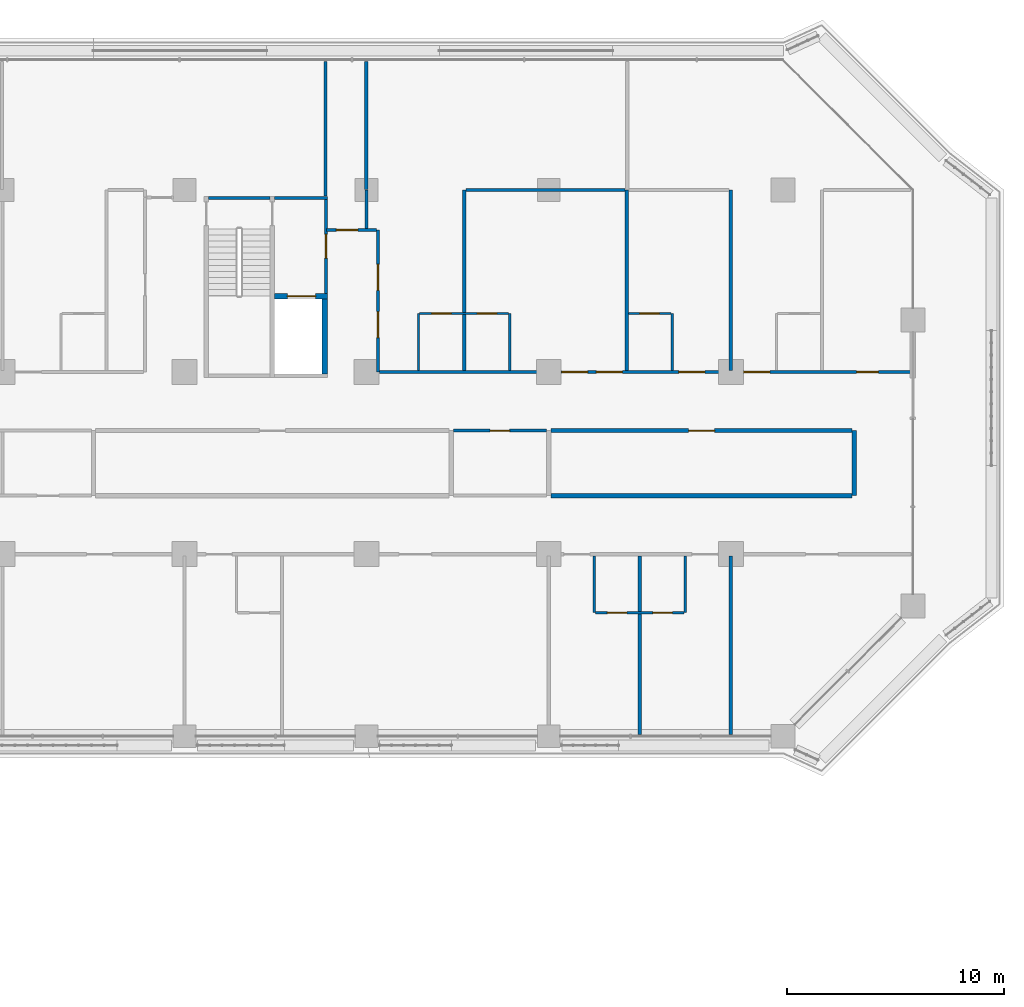
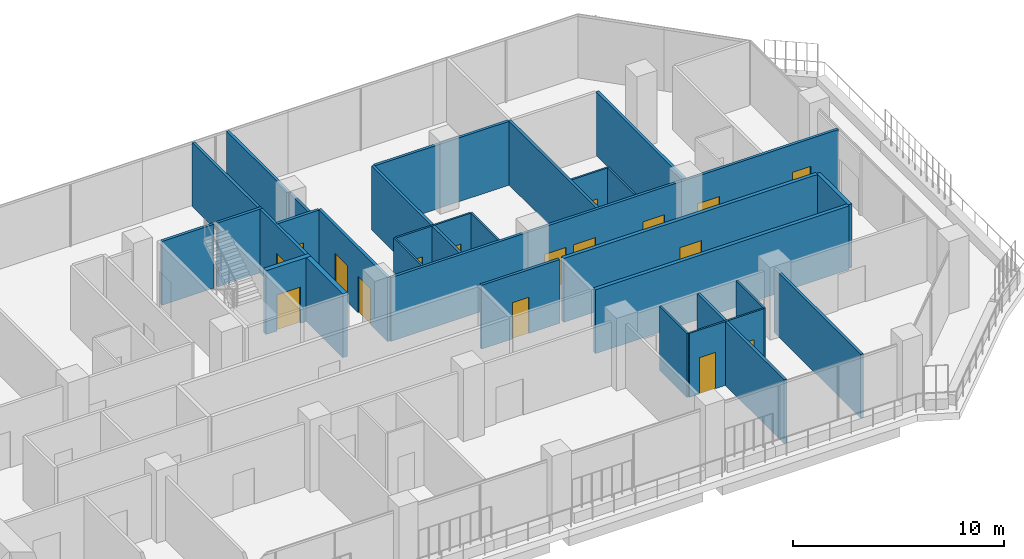
# One storey, part 15 of 23: 29 walls, 17 doors, 17 openings.
"""IFC4 building model written with IfcOpenShell, lengths in metres."""

from ifc_helpers import new_model, si_unit, direction, frame, frame_2d, origin, place, context, subcontext, project, spatial, rectangle, extrude, material, layer, layer_set, type_object, element, fill, save


model = new_model("IFC4")

# Units and contexts
model_context = context("Model", 3, precision=1e-05, world=origin(), true_north=direction((0.0, 1.0)))
body_context = subcontext(model_context, "Body", "Model", "MODEL_VIEW")
ifc_project = project(units=[si_unit("LENGTHUNIT", "METRE"), si_unit("AREAUNIT", "SQUARE_METRE"), si_unit("VOLUMEUNIT", "CUBIC_METRE"), si_unit("PLANEANGLEUNIT", "RADIAN"), si_unit("MASSUNIT", "GRAM", prefix="KILO")], contexts=[model_context])

# Site, building, storey
site_placement = place(None, origin())
site = spatial("IfcSite", under=ifc_project, at=site_placement, CompositionType="ELEMENT")
building_placement = place(site_placement, origin())
building = spatial("IfcBuilding", under=site, at=building_placement, Name="Kawkab Arch Medical Tower", CompositionType="ELEMENT")
storey_placement = place(building_placement, frame((0.0, 0.0, 149.199951171875)))
storey = spatial("IfcBuildingStorey", under=building, at=storey_placement, Name="L34", CompositionType="ELEMENT", Elevation=149.199951171875)

# Wall, opening, door
ifc_material_1 = material(Name="Gypsum board on steel studs", Category="steel")
ifc_layer_1 = layer(ifc_material_1, 0.14990234375)
ifc_layer_set_1 = layer_set([ifc_layer_1], Name="Gypsum board on steel studs")
wall_type_1 = type_object("IfcWallType", Name="Core room partition 150", PredefinedType="PARTITIONING", material=ifc_layer_set_1)
wall_1_placement = place(storey_placement, frame((48.52490234375, -4.77490234375, 0.0), z_axis=(0.0, 0.0, 1.0), x_axis=(0.0, 1.0, 0.0)))
wall_1 = element("IfcWall", 1, at=wall_1_placement, inside=storey, type_object=wall_type_1, Name="L34 core room partition", PredefinedType="PARTITIONING", context=body_context, shape_type="SweptSolid", body=[
    extrude(rectangle(XDim=4.324951171875, YDim=0.14990234375, at=frame_2d((2.16259765625, 0.0))), origin(), (0.0, 0.0, 1.0), 3.699951171875),
])
opening_1_placement = place(wall_1_placement, frame((1.625, 0.0, 0.0)))
opening_1 = element("IfcOpeningElement", 2, at=opening_1_placement, cuts=wall_1, Name="Opening FD", PredefinedType="OPENING", context=body_context, shape_type="SweptSolid", body=[
    extrude(rectangle(XDim=1.10009765625, YDim=2.10009765625, at=frame_2d((0.550048828125, 1.050048828125))), frame((0.0, 0.0849609375, 0.0), z_axis=(0.0, -1.0, 0.0), x_axis=(1.0, 0.0, 0.0)), (0.0, 0.0, 1.0), 0.169921875),
])
ifc_material_2 = material(Name="Hollow metal fire door leaf")
door_type_1 = type_object("IfcDoorType", Name="Firefighting lobby door 1100", OperationType="SINGLE_SWING_LEFT", PredefinedType="DOOR", material=ifc_material_2)
door_1_placement = place(opening_1_placement, origin())
door_1 = element("IfcDoor", 3, at=door_1_placement, inside=storey, type_object=door_type_1, Name="L34 Service lift lobby door SV1", OperationType="SINGLE_SWING_LEFT", OverallHeight=2.10009765625, OverallWidth=1.10009765625, PredefinedType="DOOR", context=body_context, shape_type="SweptSolid", body=[
    extrude(rectangle(XDim=1.10009765625, YDim=2.10009765625, at=frame_2d((0.550048828125, 1.050048828125))), frame((0.0, 0.02490234375, 0.0), z_axis=(0.0, -1.0, 0.0), x_axis=(1.0, 0.0, 0.0)), (0.0, 0.0, 1.0), 0.050048828125),
])
fill(opening_1, door_1)

ifc_material_3 = material(Name="Concrete C60/75", Category="concrete")
ifc_layer_2 = layer(ifc_material_3, 0.25)
ifc_layer_set_2 = layer_set([ifc_layer_2], Name="Concrete C60/75")
wall_type_2 = type_object("IfcWallType", Name="Core shear wall 250 C60/75", PredefinedType="SHEAR", material=ifc_layer_set_2)
wall_2_placement = place(storey_placement, frame((46.14990234375, -4.89990234375, 0.0), z_axis=(0.0, 0.0, 1.0), x_axis=(1.0, 0.0, 0.0)))
wall_2 = element("IfcWall", 4, at=wall_2_placement, inside=storey, type_object=wall_type_2, Name="L34 core shear wall", PredefinedType="SHEAR", context=body_context, shape_type="SweptSolid", body=[
    extrude(rectangle(XDim=2.4501953125, YDim=0.25, at=frame_2d((1.22509765625, 0.0))), origin(), (0.0, 0.0, 1.0), 3.699951171875),
])
opening_2_placement = place(wall_2_placement, frame((0.60009765625, 0.0, 0.0)))
opening_2 = element("IfcOpeningElement", 5, at=opening_2_placement, cuts=wall_2, Name="Opening LD2", PredefinedType="OPENING", context=body_context, shape_type="SweptSolid", body=[
    extrude(rectangle(XDim=1.300048828125, YDim=2.10009765625, at=frame_2d((0.64990234375, 1.050048828125))), frame((0.0, 0.135009765625, 0.0), z_axis=(0.0, -1.0, 0.0), x_axis=(1.0, 0.0, 0.0)), (0.0, 0.0, 1.0), 0.27001953125),
])
ifc_material_4 = material(Name="Stainless steel lift door leaf", Category="steel")
door_type_2 = type_object("IfcDoorType", Name="Lift landing door 1300", OperationType="DOUBLE_DOOR_SLIDING", PredefinedType="DOOR", material=ifc_material_4)
door_2_placement = place(opening_2_placement, origin())
door_2 = element("IfcDoor", 6, at=door_2_placement, inside=storey, type_object=door_type_2, Name="L34 Lift landing door SV1", OperationType="DOUBLE_DOOR_SLIDING", OverallHeight=2.10009765625, OverallWidth=1.300048828125, PredefinedType="DOOR", context=body_context, shape_type="SweptSolid", body=[
    extrude(rectangle(XDim=1.300048828125, YDim=2.10009765625, at=frame_2d((0.64990234375, 1.050048828125))), frame((0.0, 0.02490234375, 0.0), z_axis=(0.0, -1.0, 0.0), x_axis=(1.0, 0.0, 0.0)), (0.0, 0.0, 1.0), 0.050048828125),
])
fill(opening_2, door_2)

# Wall
wall_3_placement = place(storey_placement, frame((48.47509765625, -8.5, 0.0), z_axis=(0.0, 0.0, 1.0), x_axis=(0.0, 1.0, 0.0)))
element("IfcWall", 7, at=wall_3_placement, inside=storey, type_object=wall_type_2, Name="L34 core shear wall", PredefinedType="SHEAR", context=body_context, shape_type="SweptSolid", body=[
    extrude(rectangle(XDim=3.47509765625, YDim=0.25, at=frame_2d((1.737548828125, 0.0))), origin(), (0.0, 0.0, 1.0), 3.699951171875),
])

# Wall, openings, doors
ifc_material_5 = material(Name="Gypsum board partition on steel studs", Category="steel")
ifc_layer_3 = layer(ifc_material_5, 0.10009765625)
ifc_layer_set_3 = layer_set([ifc_layer_3], Name="Gypsum board partition on steel studs")
wall_type_3 = type_object("IfcWallType", Name="Partition 100", PredefinedType="PARTITIONING", material=ifc_layer_set_3)
wall_4_placement = place(storey_placement, frame((60.949951171875, -19.5, 0.0), z_axis=(0.0, 0.0, 1.0), x_axis=(1.0, 0.0, 0.0)))
wall_4 = element("IfcWall", 8, at=wall_4_placement, inside=storey, type_object=wall_type_3, Name="Partition 100 w006", PredefinedType="PARTITIONING", context=body_context, shape_type="SweptSolid", body=[
    extrude(rectangle(XDim=4.10009765625, YDim=0.10009765625, at=frame_2d((2.050048828125, 0.0))), origin(), (0.0, 0.0, 1.0), 3.699951171875),
])
opening_3_placement = place(wall_4_placement, frame((0.550048828125, 0.0, 0.0)))
opening_3 = element("IfcOpeningElement", 9, at=opening_3_placement, cuts=wall_4, Name="Opening W29-016", PredefinedType="OPENING", context=body_context, shape_type="SweptSolid", body=[
    extrude(rectangle(XDim=0.89990234375, YDim=2.10009765625, at=frame_2d((0.449951171875, 1.050048828125))), frame((0.0, 0.06005859375, 0.0), z_axis=(0.0, -1.0, 0.0), x_axis=(1.0, 0.0, 0.0)), (0.0, 0.0, 1.0), 0.1201171875),
])
opening_4_placement = place(wall_4_placement, frame((2.64990234375, 0.0, 0.0)))
opening_4 = element("IfcOpeningElement", 10, at=opening_4_placement, cuts=wall_4, Name="Opening W29-017", PredefinedType="OPENING", context=body_context, shape_type="SweptSolid", body=[
    extrude(rectangle(XDim=0.89990234375, YDim=2.10009765625, at=frame_2d((0.449951171875, 1.050048828125))), frame((0.0, 0.06005859375, 0.0), z_axis=(0.0, -1.0, 0.0), x_axis=(1.0, 0.0, 0.0)), (0.0, 0.0, 1.0), 0.1201171875),
])
ifc_material_6 = material(Name="Timber door leaf", Category="wood")
door_type_3 = type_object("IfcDoorType", Name="Single door 900x2100", OperationType="NOTDEFINED", PredefinedType="DOOR", material=ifc_material_6)
door_3_placement = place(opening_3_placement, origin())
door_3 = element("IfcDoor", 11, at=door_3_placement, inside=storey, type_object=door_type_3, Name="Door W29-016", OperationType="SINGLE_SWING_RIGHT", OverallHeight=2.10009765625, OverallWidth=0.89990234375, PredefinedType="DOOR", context=body_context, shape_type="SweptSolid", body=[
    extrude(rectangle(XDim=0.89990234375, YDim=2.10009765625, at=frame_2d((0.449951171875, 1.050048828125))), frame((0.0, 0.02490234375, 0.0), z_axis=(0.0, -1.0, 0.0), x_axis=(1.0, 0.0, 0.0)), (0.0, 0.0, 1.0), 0.050048828125),
])
fill(opening_3, door_3)
door_4_placement = place(opening_4_placement, origin())
door_4 = element("IfcDoor", 12, at=door_4_placement, inside=storey, type_object=door_type_3, Name="Door W29-017", OperationType="SINGLE_SWING_LEFT", OverallHeight=2.10009765625, OverallWidth=0.89990234375, PredefinedType="DOOR", context=body_context, shape_type="SweptSolid", body=[
    extrude(rectangle(XDim=0.89990234375, YDim=2.10009765625, at=frame_2d((0.449951171875, 1.050048828125))), frame((0.0, 0.02490234375, 0.0), z_axis=(0.0, -1.0, 0.0), x_axis=(1.0, 0.0, 0.0)), (0.0, 0.0, 1.0), 0.050048828125),
])
fill(opening_4, door_4)

wall_5_placement = place(storey_placement, frame((52.85009765625, -5.699951171875, 0.0), z_axis=(0.0, 0.0, 1.0), x_axis=(1.0, 0.0, 0.0)))
wall_5 = element("IfcWall", 13, at=wall_5_placement, inside=storey, type_object=wall_type_3, Name="Partition 100 w008", PredefinedType="PARTITIONING", context=body_context, shape_type="SweptSolid", body=[
    extrude(rectangle(XDim=4.097900390625, YDim=0.10009765625, at=frame_2d((2.048828125, 0.0))), origin(), (0.0, 0.0, 1.0), 3.699951171875),
])
opening_5_placement = place(wall_5_placement, frame((0.550048828125, 0.0, 0.0)))
opening_5 = element("IfcOpeningElement", 14, at=opening_5_placement, cuts=wall_5, Name="Opening W29-010", PredefinedType="OPENING", context=body_context, shape_type="SweptSolid", body=[
    extrude(rectangle(XDim=0.89990234375, YDim=2.10009765625, at=frame_2d((0.449951171875, 1.050048828125))), frame((0.0, 0.06005859375, 0.0), z_axis=(0.0, -1.0, 0.0), x_axis=(1.0, 0.0, 0.0)), (0.0, 0.0, 1.0), 0.1201171875),
])
opening_6_placement = place(wall_5_placement, frame((2.64892578125, 0.0, 0.0)))
opening_6 = element("IfcOpeningElement", 15, at=opening_6_placement, cuts=wall_5, Name="Opening W29-011", PredefinedType="OPENING", context=body_context, shape_type="SweptSolid", body=[
    extrude(rectangle(XDim=0.89990234375, YDim=2.10009765625, at=frame_2d((0.449951171875, 1.050048828125))), frame((0.0, 0.06005859375, 0.0), z_axis=(0.0, -1.0, 0.0), x_axis=(1.0, 0.0, 0.0)), (0.0, 0.0, 1.0), 0.1201171875),
])
door_5_placement = place(opening_5_placement, origin())
door_5 = element("IfcDoor", 16, at=door_5_placement, inside=storey, type_object=door_type_3, Name="Door W29-010", OperationType="SINGLE_SWING_LEFT", OverallHeight=2.10009765625, OverallWidth=0.89990234375, PredefinedType="DOOR", context=body_context, shape_type="SweptSolid", body=[
    extrude(rectangle(XDim=0.89990234375, YDim=2.10009765625, at=frame_2d((0.449951171875, 1.050048828125))), frame((0.0, 0.02490234375, 0.0), z_axis=(0.0, -1.0, 0.0), x_axis=(1.0, 0.0, 0.0)), (0.0, 0.0, 1.0), 0.050048828125),
])
fill(opening_5, door_5)
door_6_placement = place(opening_6_placement, origin())
door_6 = element("IfcDoor", 17, at=door_6_placement, inside=storey, type_object=door_type_3, Name="Door W29-011", OperationType="SINGLE_SWING_RIGHT", OverallHeight=2.10009765625, OverallWidth=0.89990234375, PredefinedType="DOOR", context=body_context, shape_type="SweptSolid", body=[
    extrude(rectangle(XDim=0.89990234375, YDim=2.10009765625, at=frame_2d((0.449951171875, 1.050048828125))), frame((0.0, 0.02490234375, 0.0), z_axis=(0.0, -1.0, 0.0), x_axis=(1.0, 0.0, 0.0)), (0.0, 0.0, 1.0), 0.050048828125),
])
fill(opening_6, door_6)

# Wall, opening, door
wall_6_placement = place(storey_placement, frame((62.47509765625, -5.699951171875, 0.0), z_axis=(0.0, 0.0, 1.0), x_axis=(1.0, 0.0, 0.0)))
wall_6 = element("IfcWall", 18, at=wall_6_placement, inside=storey, type_object=wall_type_3, Name="Partition 100 w009", PredefinedType="PARTITIONING", context=body_context, shape_type="SweptSolid", body=[
    extrude(rectangle(XDim=1.974853515625, YDim=0.10009765625, at=frame_2d((0.9873046875, 0.0))), origin(), (0.0, 0.0, 1.0), 3.699951171875),
])
opening_7_placement = place(wall_6_placement, frame((0.52490234375, 0.0, 0.0)))
opening_7 = element("IfcOpeningElement", 19, at=opening_7_placement, cuts=wall_6, Name="Opening W29-012", PredefinedType="OPENING", context=body_context, shape_type="SweptSolid", body=[
    extrude(rectangle(XDim=0.89990234375, YDim=2.10009765625, at=frame_2d((0.449951171875, 1.050048828125))), frame((0.0, 0.06005859375, 0.0), z_axis=(0.0, -1.0, 0.0), x_axis=(1.0, 0.0, 0.0)), (0.0, 0.0, 1.0), 0.1201171875),
])
door_7_placement = place(opening_7_placement, origin())
door_7 = element("IfcDoor", 20, at=door_7_placement, inside=storey, type_object=door_type_3, Name="Door W29-012", OperationType="SINGLE_SWING_RIGHT", OverallHeight=2.10009765625, OverallWidth=0.89990234375, PredefinedType="DOOR", context=body_context, shape_type="SweptSolid", body=[
    extrude(rectangle(XDim=0.89990234375, YDim=2.10009765625, at=frame_2d((0.449951171875, 1.050048828125))), frame((0.0, 0.02490234375, 0.0), z_axis=(0.0, -1.0, 0.0), x_axis=(1.0, 0.0, 0.0)), (0.0, 0.0, 1.0), 0.050048828125),
])
fill(opening_7, door_7)

# Walls
wall_7_placement = place(storey_placement, frame((52.800048828125, -8.324951171875, 0.0), z_axis=(0.0, 0.0, 1.0), x_axis=(0.0, 1.0, 0.0)))
element("IfcWall", 21, at=wall_7_placement, inside=storey, type_object=wall_type_3, Name="Partition 100 w016", PredefinedType="PARTITIONING", context=body_context, shape_type="SweptSolid", body=[
    extrude(rectangle(XDim=2.625, YDim=0.10009765625, at=frame_2d((1.3125, 0.0))), origin(), (0.0, 0.0, 1.0), 3.699951171875),
])
wall_8_placement = place(storey_placement, frame((57.0, -8.324951171875, 0.0), z_axis=(0.0, 0.0, 1.0), x_axis=(0.0, 1.0, 0.0)))
element("IfcWall", 22, at=wall_8_placement, inside=storey, type_object=wall_type_3, Name="Partition 100 w017", PredefinedType="PARTITIONING", context=body_context, shape_type="SweptSolid", body=[
    extrude(rectangle(XDim=2.6240234375, YDim=0.10009765625, at=frame_2d((1.31201171875, 0.0))), origin(), (0.0, 0.0, 1.0), 3.699951171875),
])
for number, where, z_axis, x_axis, name in (
    (23, (60.89990234375, -19.5, 0.0), (0.0, 0.0, 1.0), (0.0, 1.0, 0.0), "Partition 100 w018"),
    (24, (64.5, -8.324951171875, 0.0), (0.0, 0.0, 1.0), (0.0, 1.0, 0.0), "Partition 100 w019"),
    (25, (65.10009765625, -19.5, 0.0), (0.0, 0.0, 1.0), (0.0, 1.0, 0.0), "Partition 100 w020"),
):
    element("IfcWall", number, at=place(storey_placement, frame(where, z_axis=z_axis, x_axis=x_axis)), inside=storey, type_object=wall_type_3, Name=name, PredefinedType="PARTITIONING", context=body_context, shape_type="SweptSolid", body=[
        extrude(rectangle(XDim=2.625, YDim=0.10009765625, at=frame_2d((1.3125, 0.0))), origin(), (0.0, 0.0, 1.0), 3.699951171875),
    ])

# Wall, opening, door
ifc_material_7 = material(Name="Gypsum board partition on steel studs, mineral wool", Category="steel")
ifc_layer_4 = layer(ifc_material_7, 0.14990234375)
ifc_layer_set_4 = layer_set([ifc_layer_4], Name="Gypsum board partition on steel studs, mineral wool")
wall_type_4 = type_object("IfcWallType", Name="Partition 150", PredefinedType="PARTITIONING", material=ifc_layer_set_4)
wall_9_placement = place(storey_placement, frame((54.39990234375, -11.10009765625, 0.0), z_axis=(0.0, 0.0, 1.0), x_axis=(1.0, 0.0, 0.0)))
wall_9 = element("IfcWall", 26, at=wall_9_placement, inside=storey, type_object=wall_type_4, Name="Partition 150 w041", PredefinedType="PARTITIONING", context=body_context, shape_type="SweptSolid", body=[
    extrude(rectangle(XDim=4.300048828125, YDim=0.14990234375, at=frame_2d((2.14990234375, 0.0))), origin(), (0.0, 0.0, 1.0), 3.699951171875),
])
opening_8_placement = place(wall_9_placement, frame((1.699951171875, 0.0, 0.0)))
opening_8 = element("IfcOpeningElement", 27, at=opening_8_placement, cuts=wall_9, Name="Opening W29-014", PredefinedType="OPENING", context=body_context, shape_type="SweptSolid", body=[
    extrude(rectangle(XDim=0.89990234375, YDim=2.10009765625, at=frame_2d((0.449951171875, 1.050048828125))), frame((0.0, 0.0849609375, 0.0), z_axis=(0.0, -1.0, 0.0), x_axis=(1.0, 0.0, 0.0)), (0.0, 0.0, 1.0), 0.169921875),
])
door_8_placement = place(opening_8_placement, origin())
door_8 = element("IfcDoor", 28, at=door_8_placement, inside=storey, type_object=door_type_3, Name="Door W29-014", OperationType="SINGLE_SWING_RIGHT", OverallHeight=2.10009765625, OverallWidth=0.89990234375, PredefinedType="DOOR", context=body_context, shape_type="SweptSolid", body=[
    extrude(rectangle(XDim=0.89990234375, YDim=2.10009765625, at=frame_2d((0.449951171875, 1.050048828125))), frame((0.0, 0.02490234375, 0.0), z_axis=(0.0, -1.0, 0.0), x_axis=(1.0, 0.0, 0.0)), (0.0, 0.0, 1.0), 0.050048828125),
])
fill(opening_8, door_8)

# Wall, openings, doors
wall_10_placement = place(storey_placement, frame((51.0, -8.39990234375, 0.0), z_axis=(0.0, 0.0, 1.0), x_axis=(1.0, 0.0, 0.0)))
wall_10 = element("IfcWall", 29, at=wall_10_placement, inside=storey, type_object=wall_type_4, Name="Partition 150 w043", PredefinedType="PARTITIONING", context=body_context, shape_type="SweptSolid", body=[
    extrude(rectangle(XDim=24.52001953125, YDim=0.14990234375, at=frame_2d((12.260009765625, 0.0))), origin(), (0.0, 0.0, 1.0), 3.699951171875),
])
opening_9_placement = place(wall_10_placement, frame((8.39990234375, 0.0, 0.0)))
opening_9 = element("IfcOpeningElement", 30, at=opening_9_placement, cuts=wall_10, Name="Opening W29-036", PredefinedType="OPENING", context=body_context, shape_type="SweptSolid", body=[
    extrude(rectangle(XDim=1.199951171875, YDim=2.10009765625, at=frame_2d((0.60009765625, 1.050048828125))), frame((0.0, 0.0849609375, 0.0), z_axis=(0.0, -1.0, 0.0), x_axis=(1.0, 0.0, 0.0)), (0.0, 0.0, 1.0), 0.169921875),
])
opening_10_placement = place(wall_10_placement, frame((10.0, 0.0, 0.0)))
opening_10 = element("IfcOpeningElement", 31, at=opening_10_placement, cuts=wall_10, Name="Opening W29-037", PredefinedType="OPENING", context=body_context, shape_type="SweptSolid", body=[
    extrude(rectangle(XDim=1.199951171875, YDim=2.10009765625, at=frame_2d((0.60009765625, 1.050048828125))), frame((0.0, 0.0849609375, 0.0), z_axis=(0.0, -1.0, 0.0), x_axis=(1.0, 0.0, 0.0)), (0.0, 0.0, 1.0), 0.169921875),
])
opening_11_placement = place(wall_10_placement, frame((13.800048828125, 0.0, 0.0)))
opening_11 = element("IfcOpeningElement", 32, at=opening_11_placement, cuts=wall_10, Name="Opening W29-038", PredefinedType="OPENING", context=body_context, shape_type="SweptSolid", body=[
    extrude(rectangle(XDim=1.199951171875, YDim=2.10009765625, at=frame_2d((0.60009765625, 1.050048828125))), frame((0.0, 0.0849609375, 0.0), z_axis=(0.0, -1.0, 0.0), x_axis=(1.0, 0.0, 0.0)), (0.0, 0.0, 1.0), 0.169921875),
])
opening_12_placement = place(wall_10_placement, frame((16.800048828125, 0.0, 0.0)))
opening_12 = element("IfcOpeningElement", 33, at=opening_12_placement, cuts=wall_10, Name="Opening W29-039", PredefinedType="OPENING", context=body_context, shape_type="SweptSolid", body=[
    extrude(rectangle(XDim=1.199951171875, YDim=2.10009765625, at=frame_2d((0.60009765625, 1.050048828125))), frame((0.0, 0.0849609375, 0.0), z_axis=(0.0, -1.0, 0.0), x_axis=(1.0, 0.0, 0.0)), (0.0, 0.0, 1.0), 0.169921875),
])
opening_13_placement = place(wall_10_placement, frame((22.0, 0.0, 0.0)))
opening_13 = element("IfcOpeningElement", 34, at=opening_13_placement, cuts=wall_10, Name="Opening W29-028", PredefinedType="OPENING", context=body_context, shape_type="SweptSolid", body=[
    extrude(rectangle(XDim=1.0, YDim=2.10009765625, at=frame_2d((0.5, 1.050048828125))), frame((0.0, 0.0849609375, 0.0), z_axis=(0.0, -1.0, 0.0), x_axis=(1.0, 0.0, 0.0)), (0.0, 0.0, 1.0), 0.169921875),
])
ifc_material_8 = material(Name="Hollow metal door leaf")
door_type_4 = type_object("IfcDoorType", Name="Single door 1000x2100 FD30S", OperationType="NOTDEFINED", PredefinedType="DOOR", material=ifc_material_8)
door_9_placement = place(opening_13_placement, origin())
door_9 = element("IfcDoor", 35, at=door_9_placement, inside=storey, type_object=door_type_4, Name="Door W29-028", OperationType="SINGLE_SWING_RIGHT", OverallHeight=2.10009765625, OverallWidth=1.0, PredefinedType="DOOR", context=body_context, shape_type="SweptSolid", body=[
    extrude(rectangle(XDim=1.0, YDim=2.10009765625, at=frame_2d((0.5, 1.050048828125))), frame((0.0, 0.02490234375, 0.0), z_axis=(0.0, -1.0, 0.0), x_axis=(1.0, 0.0, 0.0)), (0.0, 0.0, 1.0), 0.050048828125),
])
fill(opening_13, door_9)
ifc_material_9 = material(Name="Hollow metal door leaf")
door_type_5 = type_object("IfcDoorType", Name="Single door 1200x2100 FD30S", OperationType="NOTDEFINED", PredefinedType="DOOR", material=ifc_material_9)
door_10_placement = place(opening_9_placement, origin())
door_10 = element("IfcDoor", 36, at=door_10_placement, inside=storey, type_object=door_type_5, Name="Door W29-036", OperationType="SINGLE_SWING_LEFT", OverallHeight=2.10009765625, OverallWidth=1.199951171875, PredefinedType="DOOR", context=body_context, shape_type="SweptSolid", body=[
    extrude(rectangle(XDim=1.199951171875, YDim=2.10009765625, at=frame_2d((0.60009765625, 1.050048828125))), frame((0.0, 0.02490234375, 0.0), z_axis=(0.0, -1.0, 0.0), x_axis=(1.0, 0.0, 0.0)), (0.0, 0.0, 1.0), 0.050048828125),
])
fill(opening_9, door_10)
door_11_placement = place(opening_10_placement, origin())
door_11 = element("IfcDoor", 37, at=door_11_placement, inside=storey, type_object=door_type_5, Name="Door W29-037", OperationType="SINGLE_SWING_LEFT", OverallHeight=2.10009765625, OverallWidth=1.199951171875, PredefinedType="DOOR", context=body_context, shape_type="SweptSolid", body=[
    extrude(rectangle(XDim=1.199951171875, YDim=2.10009765625, at=frame_2d((0.60009765625, 1.050048828125))), frame((0.0, 0.02490234375, 0.0), z_axis=(0.0, -1.0, 0.0), x_axis=(1.0, 0.0, 0.0)), (0.0, 0.0, 1.0), 0.050048828125),
])
fill(opening_10, door_11)
door_12_placement = place(opening_11_placement, origin())
door_12 = element("IfcDoor", 38, at=door_12_placement, inside=storey, type_object=door_type_5, Name="Door W29-038", OperationType="SINGLE_SWING_RIGHT", OverallHeight=2.10009765625, OverallWidth=1.199951171875, PredefinedType="DOOR", context=body_context, shape_type="SweptSolid", body=[
    extrude(rectangle(XDim=1.199951171875, YDim=2.10009765625, at=frame_2d((0.60009765625, 1.050048828125))), frame((0.0, 0.02490234375, 0.0), z_axis=(0.0, -1.0, 0.0), x_axis=(1.0, 0.0, 0.0)), (0.0, 0.0, 1.0), 0.050048828125),
])
fill(opening_11, door_12)
door_13_placement = place(opening_12_placement, origin())
door_13 = element("IfcDoor", 39, at=door_13_placement, inside=storey, type_object=door_type_5, Name="Door W29-039", OperationType="SINGLE_SWING_RIGHT", OverallHeight=2.10009765625, OverallWidth=1.199951171875, PredefinedType="DOOR", context=body_context, shape_type="SweptSolid", body=[
    extrude(rectangle(XDim=1.199951171875, YDim=2.10009765625, at=frame_2d((0.60009765625, 1.050048828125))), frame((0.0, 0.02490234375, 0.0), z_axis=(0.0, -1.0, 0.0), x_axis=(1.0, 0.0, 0.0)), (0.0, 0.0, 1.0), 0.050048828125),
])
fill(opening_12, door_13)

# Wall, opening, door
wall_11_placement = place(storey_placement, frame((48.550048828125, -1.85009765625, 0.0), z_axis=(0.0, 0.0, 1.0), x_axis=(1.0, 0.0, 0.0)))
wall_11 = element("IfcWall", 40, at=wall_11_placement, inside=storey, type_object=wall_type_4, Name="Partition 150 w045", PredefinedType="PARTITIONING", context=body_context, shape_type="SweptSolid", body=[
    extrude(rectangle(XDim=2.296875, YDim=0.14990234375, at=frame_2d((1.1484375, 0.0))), origin(), (0.0, 0.0, 1.0), 3.699951171875),
])
opening_14_placement = place(wall_11_placement, frame((0.449951171875, 0.0, 0.0)))
opening_14 = element("IfcOpeningElement", 41, at=opening_14_placement, cuts=wall_11, Name="Opening W29-027", PredefinedType="OPENING", context=body_context, shape_type="SweptSolid", body=[
    extrude(rectangle(XDim=1.0, YDim=2.10009765625, at=frame_2d((0.5, 1.050048828125))), frame((0.0, 0.0849609375, 0.0), z_axis=(0.0, -1.0, 0.0), x_axis=(1.0, 0.0, 0.0)), (0.0, 0.0, 1.0), 0.169921875),
])
door_14_placement = place(opening_14_placement, origin())
door_14 = element("IfcDoor", 42, at=door_14_placement, inside=storey, type_object=door_type_4, Name="Door W29-027", OperationType="SINGLE_SWING_RIGHT", OverallHeight=2.10009765625, OverallWidth=1.0, PredefinedType="DOOR", context=body_context, shape_type="SweptSolid", body=[
    extrude(rectangle(XDim=1.0, YDim=2.10009765625, at=frame_2d((0.5, 1.050048828125))), frame((0.0, 0.02490234375, 0.0), z_axis=(0.0, -1.0, 0.0), x_axis=(1.0, 0.0, 0.0)), (0.0, 0.0, 1.0), 0.050048828125),
])
fill(opening_14, door_14)

# Walls
wall_12_placement = place(storey_placement, frame((54.97900390625, 0.0, 0.0), z_axis=(0.0, 0.0, 1.0), x_axis=(1.0, 0.0, 0.0)))
element("IfcWall", 43, at=wall_12_placement, inside=storey, type_object=wall_type_4, Name="Partition 150 w048", PredefinedType="PARTITIONING", context=body_context, shape_type="SweptSolid", body=[
    extrude(rectangle(XDim=7.345947265625, YDim=0.14990234375, at=frame_2d((3.6728515625, 0.0))), origin(), (0.0, 0.0, 1.0), 3.699951171875),
])
wall_13_placement = place(storey_placement, frame((48.5, -0.27001953125, 0.0), z_axis=(0.0, 0.0, 1.0), x_axis=(0.0, 1.0, 0.0)))
element("IfcWall", 44, at=wall_13_placement, inside=storey, type_object=wall_type_4, Name="Partition 150 w070", PredefinedType="PARTITIONING", context=body_context, shape_type="SweptSolid", body=[
    extrude(rectangle(XDim=6.18994140625, YDim=0.14990234375, at=frame_2d((3.094970703125, 0.0))), origin(), (0.0, 0.0, 1.0), 3.699951171875),
])
wall_14_placement = place(storey_placement, frame((50.3798828125, 0.02001953125, 0.0), z_axis=(0.0, 0.0, 1.0), x_axis=(0.0, 1.0, 0.0)))
element("IfcWall", 45, at=wall_14_placement, inside=storey, type_object=wall_type_4, Name="Partition 150 w071", PredefinedType="PARTITIONING", context=body_context, shape_type="SweptSolid", body=[
    extrude(rectangle(XDim=5.89990234375, YDim=0.14990234375, at=frame_2d((2.949951171875, 0.0))), origin(), (0.0, 0.0, 1.0), 3.699951171875),
])
wall_15_placement = place(storey_placement, frame((50.39990234375, -1.77490234375, 0.0), z_axis=(0.0, 0.0, 1.0), x_axis=(0.0, 1.0, 0.0)))
element("IfcWall", 46, at=wall_15_placement, inside=storey, type_object=wall_type_4, Name="Partition 150 w072", PredefinedType="PARTITIONING", context=body_context, shape_type="SweptSolid", body=[
    extrude(rectangle(XDim=1.77197265625, YDim=0.14990234375, at=frame_2d((0.885986328125, 0.0))), origin(), (0.0, 0.0, 1.0), 3.699951171875),
])

# Wall, openings, doors
wall_16_placement = place(storey_placement, frame((50.925048828125, -8.39990234375, 0.0), z_axis=(0.0, 0.0, 1.0), x_axis=(0.0, 1.0, 0.0)))
wall_16 = element("IfcWall", 47, at=wall_16_placement, inside=storey, type_object=wall_type_4, Name="Partition 150 w073", PredefinedType="PARTITIONING", context=body_context, shape_type="SweptSolid", body=[
    extrude(rectangle(XDim=6.546875, YDim=0.14990234375, at=frame_2d((3.2734375, 0.0))), origin(), (0.0, 0.0, 1.0), 3.699951171875),
])
opening_15_placement = place(wall_16_placement, frame((3.764892578125, 0.0, 0.0)))
opening_15 = element("IfcOpeningElement", 48, at=opening_15_placement, cuts=wall_16, Name="Opening W29-034", PredefinedType="OPENING", context=body_context, shape_type="SweptSolid", body=[
    extrude(rectangle(XDim=1.199951171875, YDim=2.10009765625, at=frame_2d((0.60009765625, 1.050048828125))), frame((0.0, 0.0849609375, 0.0), z_axis=(0.0, -1.0, 0.0), x_axis=(1.0, 0.0, 0.0)), (0.0, 0.0, 1.0), 0.169921875),
])
opening_16_placement = place(wall_16_placement, frame((1.58203125, 0.0, 0.0)))
opening_16 = element("IfcOpeningElement", 49, at=opening_16_placement, cuts=wall_16, Name="Opening W29-035", PredefinedType="OPENING", context=body_context, shape_type="SweptSolid", body=[
    extrude(rectangle(XDim=1.199951171875, YDim=2.10009765625, at=frame_2d((0.60009765625, 1.050048828125))), frame((0.0, 0.0849609375, 0.0), z_axis=(0.0, -1.0, 0.0), x_axis=(1.0, 0.0, 0.0)), (0.0, 0.0, 1.0), 0.169921875),
])
door_15_placement = place(opening_15_placement, origin())
door_15 = element("IfcDoor", 50, at=door_15_placement, inside=storey, type_object=door_type_5, Name="Door W29-034", OperationType="SINGLE_SWING_LEFT", OverallHeight=2.10009765625, OverallWidth=1.199951171875, PredefinedType="DOOR", context=body_context, shape_type="SweptSolid", body=[
    extrude(rectangle(XDim=1.199951171875, YDim=2.10009765625, at=frame_2d((0.60009765625, 1.050048828125))), frame((0.0, 0.02490234375, 0.0), z_axis=(0.0, -1.0, 0.0), x_axis=(1.0, 0.0, 0.0)), (0.0, 0.0, 1.0), 0.050048828125),
])
fill(opening_15, door_15)
door_16_placement = place(opening_16_placement, origin())
door_16 = element("IfcDoor", 51, at=door_16_placement, inside=storey, type_object=door_type_5, Name="Door W29-035", OperationType="SINGLE_SWING_RIGHT", OverallHeight=2.10009765625, OverallWidth=1.199951171875, PredefinedType="DOOR", context=body_context, shape_type="SweptSolid", body=[
    extrude(rectangle(XDim=1.199951171875, YDim=2.10009765625, at=frame_2d((0.60009765625, 1.050048828125))), frame((0.0, 0.02490234375, 0.0), z_axis=(0.0, -1.0, 0.0), x_axis=(1.0, 0.0, 0.0)), (0.0, 0.0, 1.0), 0.050048828125),
])
fill(opening_16, door_16)

# Walls
wall_17_placement = place(storey_placement, frame((54.89990234375, -8.324951171875, 0.0), z_axis=(0.0, 0.0, 1.0), x_axis=(0.0, 1.0, 0.0)))
element("IfcWall", 52, at=wall_17_placement, inside=storey, type_object=wall_type_4, Name="Partition 150 w074", PredefinedType="PARTITIONING", context=body_context, shape_type="SweptSolid", body=[
    extrude(rectangle(XDim=8.322998046875, YDim=0.14990234375, at=frame_2d((4.16162109375, 0.0))), origin(), (0.0, 0.0, 1.0), 3.699951171875),
])
wall_18_placement = place(storey_placement, frame((62.39990234375, -8.324951171875, 0.0), z_axis=(0.0, 0.0, 1.0), x_axis=(0.0, 1.0, 0.0)))
element("IfcWall", 53, at=wall_18_placement, inside=storey, type_object=wall_type_4, Name="Partition 150 w076", PredefinedType="PARTITIONING", context=body_context, shape_type="SweptSolid", body=[
    extrude(rectangle(XDim=8.324951171875, YDim=0.14990234375, at=frame_2d((4.16259765625, 0.0))), origin(), (0.0, 0.0, 1.0), 3.699951171875),
])
for number, where, z_axis, x_axis, name in (
    (54, (63.0, -25.1201171875, 0.0), (0.0, 0.0, 1.0), (0.0, 1.0, 0.0), "Partition 150 w078"),
    (55, (67.199951171875, -25.1201171875, 0.0), (0.0, 0.0, 1.0), (0.0, 1.0, 0.0), "Partition 150 w079"),
):
    element("IfcWall", number, at=place(storey_placement, frame(where, z_axis=z_axis, x_axis=x_axis)), inside=storey, type_object=wall_type_4, Name=name, PredefinedType="PARTITIONING", context=body_context, shape_type="SweptSolid", body=[
        extrude(rectangle(XDim=8.2451171875, YDim=0.14990234375, at=frame_2d((4.12255859375, 0.0))), origin(), (0.0, 0.0, 1.0), 3.699951171875),
    ])
wall_19_placement = place(storey_placement, frame((67.199951171875, -8.324951171875, 0.0), z_axis=(0.0, 0.0, 1.0), x_axis=(0.0, 1.0, 0.0)))
element("IfcWall", 56, at=wall_19_placement, inside=storey, type_object=wall_type_4, Name="Partition 150 w080", PredefinedType="PARTITIONING", context=body_context, shape_type="SweptSolid", body=[
    extrude(rectangle(XDim=8.322998046875, YDim=0.14990234375, at=frame_2d((4.16162109375, 0.0))), origin(), (0.0, 0.0, 1.0), 3.699951171875),
])
ifc_material_10 = material(Name="Fire-rated gypsum board partition on steel studs", Category="steel")
ifc_layer_5 = layer(ifc_material_10, 0.199951171875)
ifc_layer_set_5 = layer_set([ifc_layer_5], Name="Fire-rated gypsum board partition on steel studs")
wall_type_5 = type_object("IfcWallType", Name="Protected partition 200", PredefinedType="PARTITIONING", material=ifc_layer_set_5)
wall_20_placement = place(storey_placement, frame((58.89990234375, -14.10009765625, 0.0), z_axis=(0.0, 0.0, 1.0), x_axis=(1.0, 0.0, 0.0)))
element("IfcWall", 57, at=wall_20_placement, inside=storey, type_object=wall_type_5, Name="Protected partition 200 w085", PredefinedType="PARTITIONING", context=body_context, shape_type="SweptSolid", body=[
    extrude(rectangle(XDim=13.900146484375, YDim=0.199951171875, at=frame_2d((6.9501953125, 0.0))), origin(), (0.0, 0.0, 1.0), 3.699951171875),
])

# Wall, opening, door
wall_21_placement = place(storey_placement, frame((58.89990234375, -11.10009765625, 0.0), z_axis=(0.0, 0.0, 1.0), x_axis=(1.0, 0.0, 0.0)))
wall_21 = element("IfcWall", 58, at=wall_21_placement, inside=storey, type_object=wall_type_5, Name="Protected partition 200 w087", PredefinedType="PARTITIONING", context=body_context, shape_type="SweptSolid", body=[
    extrude(rectangle(XDim=13.900146484375, YDim=0.199951171875, at=frame_2d((6.9501953125, 0.0))), origin(), (0.0, 0.0, 1.0), 3.699951171875),
])
opening_17_placement = place(wall_21_placement, frame((6.35009765625, 0.0, 0.0)))
opening_17 = element("IfcOpeningElement", 59, at=opening_17_placement, cuts=wall_21, Name="Opening W29-049", PredefinedType="OPENING", context=body_context, shape_type="SweptSolid", body=[
    extrude(rectangle(XDim=1.199951171875, YDim=2.10009765625, at=frame_2d((0.60009765625, 1.050048828125))), frame((0.0, 0.10986328125, 0.0), z_axis=(0.0, -1.0, 0.0), x_axis=(1.0, 0.0, 0.0)), (0.0, 0.0, 1.0), 0.219970703125),
])
ifc_material_11 = material(Name="Hollow metal door leaf")
door_type_6 = type_object("IfcDoorType", Name="Single door 1200x2100 FD60", OperationType="NOTDEFINED", PredefinedType="DOOR", material=ifc_material_11)
door_17_placement = place(opening_17_placement, origin())
door_17 = element("IfcDoor", 60, at=door_17_placement, inside=storey, type_object=door_type_6, Name="Door W29-049", OperationType="SINGLE_SWING_LEFT", OverallHeight=2.10009765625, OverallWidth=1.199951171875, PredefinedType="DOOR", context=body_context, shape_type="SweptSolid", body=[
    extrude(rectangle(XDim=1.199951171875, YDim=2.10009765625, at=frame_2d((0.60009765625, 1.050048828125))), frame((0.0, 0.02490234375, 0.0), z_axis=(0.0, -1.0, 0.0), x_axis=(1.0, 0.0, 0.0)), (0.0, 0.0, 1.0), 0.050048828125),
])
fill(opening_17, door_17)

# Walls
wall_22_placement = place(storey_placement, frame((72.89990234375, -14.10009765625, 0.0), z_axis=(0.0, 0.0, 1.0), x_axis=(0.0, 1.0, 0.0)))
element("IfcWall", 61, at=wall_22_placement, inside=storey, type_object=wall_type_5, Name="Protected partition 200 w093", PredefinedType="PARTITIONING", context=body_context, shape_type="SweptSolid", body=[
    extrude(rectangle(XDim=3.0, YDim=0.199951171875, at=frame_2d((1.5, 0.0))), origin(), (0.0, 0.0, 1.0), 3.699951171875),
])
ifc_material_12 = material(Name="Concrete C50/60", Category="concrete")
ifc_layer_6 = layer(ifc_material_12, 0.14990234375)
ifc_layer_set_6 = layer_set([ifc_layer_6], Name="Concrete C50/60")
wall_type_6 = type_object("IfcWallType", Name="Stair enclosure wall 150 C50/60", PredefinedType="SHEAR", material=ifc_layer_set_6)
wall_23_placement = place(storey_placement, frame((43.10009765625, -0.375, 0.0), z_axis=(0.0, 0.0, 1.0), x_axis=(1.0, 0.0, 0.0)))
element("IfcWall", 62, at=wall_23_placement, inside=storey, type_object=wall_type_6, Name="L34 stair enclosure wall", PredefinedType="SHEAR", context=body_context, shape_type="SweptSolid", body=[
    extrude(rectangle(XDim=2.849853515625, YDim=0.14990234375, at=frame_2d((1.4248046875, 0.0))), origin(), (0.0, 0.0, 1.0), 3.699951171875),
])
wall_24_placement = place(storey_placement, frame((46.14990234375, -0.375, 0.0), z_axis=(0.0, 0.0, 1.0), x_axis=(1.0, 0.0, 0.0)))
element("IfcWall", 63, at=wall_24_placement, inside=storey, type_object=wall_type_6, Name="L34 stair enclosure wall", PredefinedType="SHEAR", context=body_context, shape_type="SweptSolid", body=[
    extrude(rectangle(XDim=2.4501953125, YDim=0.14990234375, at=frame_2d((1.22509765625, 0.0))), origin(), (0.0, 0.0, 1.0), 3.699951171875),
])

save(model, "model.ifc")
